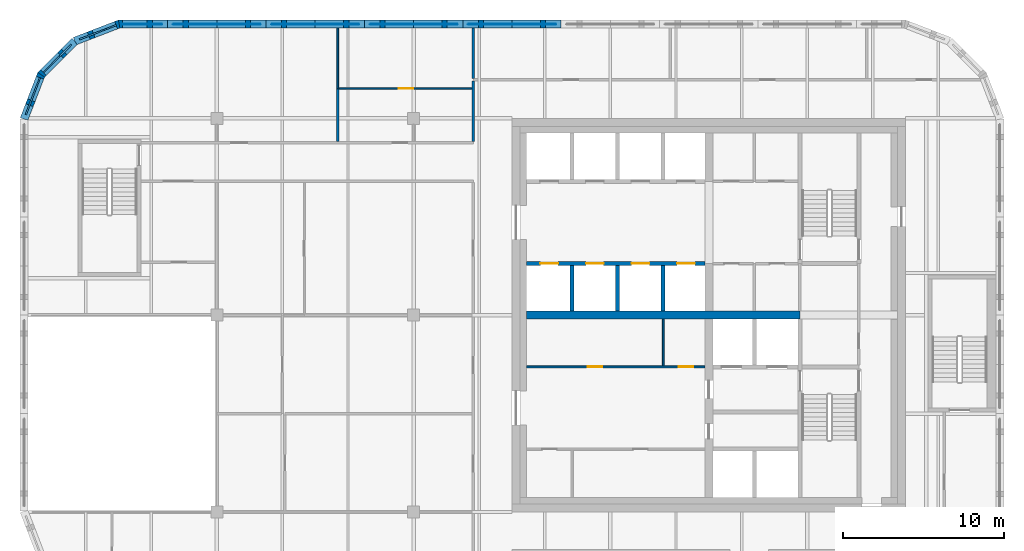
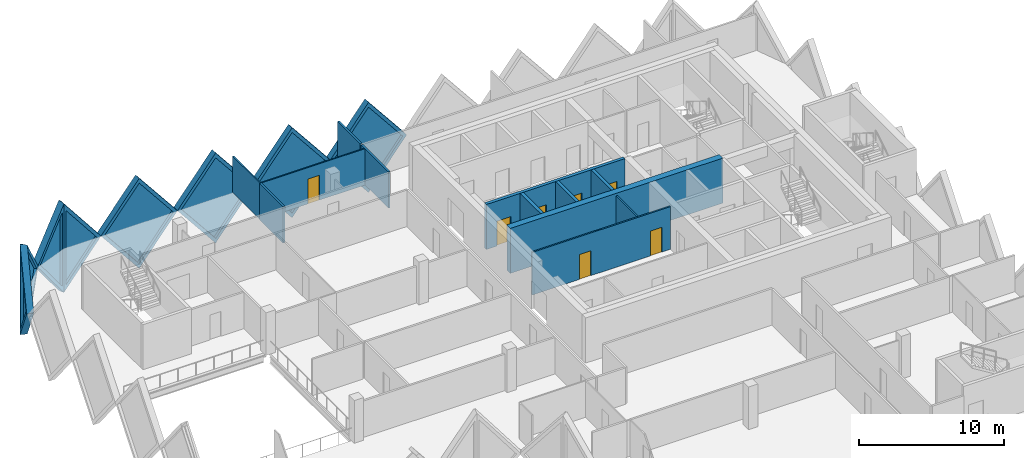
# One storey, part 8 of 12: 20 walls, 8 plates, 7 doors, 15 openings.
"""IFC4 building model written with IfcOpenShell, lengths in metres."""

from ifc_helpers import new_model, si_unit, direction, frame, frame_2d, origin, place, context, subcontext, project, spatial, polyline, rectangle, outline, extrude, faceted_brep, source, transform, mapped, material, layer, layer_set, type_object, element, fill, save


model = new_model("IFC4")

# Units and contexts
model_context = context("Model", 3, precision=1e-05, world=origin(), true_north=direction((0.0, 1.0)))
body_context = subcontext(model_context, "Body", "Model", "MODEL_VIEW")
ifc_project = project(units=[si_unit("LENGTHUNIT", "METRE"), si_unit("AREAUNIT", "SQUARE_METRE"), si_unit("VOLUMEUNIT", "CUBIC_METRE"), si_unit("PLANEANGLEUNIT", "RADIAN"), si_unit("MASSUNIT", "GRAM", prefix="KILO")], contexts=[model_context])

# Site, building, storey
site_placement = place(None, origin())
site = spatial("IfcSite", under=ifc_project, at=site_placement, CompositionType="ELEMENT")
building_placement = place(site_placement, origin())
building = spatial("IfcBuilding", under=site, at=building_placement, Name="Tessera Gate Towers", CompositionType="ELEMENT")
storey_placement = place(building_placement, frame((0.0, 0.0, 213.10009765625)))
storey = spatial("IfcBuildingStorey", under=building, at=storey_placement, Name="L53", CompositionType="ELEMENT", Elevation=213.10009765625)

# Wall, openings, doors
ifc_material_1 = material(Name="Concrete C40/50", Category="concrete")
ifc_layer_1 = layer(ifc_material_1, 0.25)
ifc_layer_set_1 = layer_set([ifc_layer_1], Name="CORE ENCLOSURE WALL 250")
wall_type_1 = type_object("IfcWallType", Name="CORE ENCLOSURE WALL 250", PredefinedType="SOLIDWALL", material=ifc_layer_set_1)
wall_1_placement = place(storey_placement, frame((31.39990234375, 39.800048828125, 0.0), z_axis=(0.0, 0.0, 1.0), x_axis=(1.0, 0.0, 0.0)))
wall_1 = element("IfcWall", 1, at=wall_1_placement, inside=storey, type_object=wall_type_1, Name="L53 shaft and stair enclosure wall", PredefinedType="SOLIDWALL", context=body_context, shape_type="SweptSolid", body=[
    extrude(rectangle(XDim=11.050048828125, YDim=0.25, at=frame_2d((5.52490234375, 0.0))), origin(), (0.0, 0.0, 1.0), 3.7998046875),
])
shared_shape_1 = source(origin(), body_context, "Body", "SweptSolid", [
    extrude(rectangle(XDim=1.10009765625, YDim=2.10009765625, at=frame_2d((0.550048828125, 1.050048828125))), frame((0.0, 0.135009765625, 0.0), z_axis=(0.0, -1.0, 0.0), x_axis=(1.0, 0.0, 0.0)), (0.0, 0.0, 1.0), 0.27001953125),
])
opening_1_placement = place(wall_1_placement, frame((0.862548828125, 0.0, 0.0)))
opening_1 = element("IfcOpeningElement", 2, at=opening_1_placement, cuts=wall_1, Name="Opening LD-HR1", PredefinedType="OPENING", context=body_context, shape_type="MappedRepresentation", body=[
    mapped(shared_shape_1, transform((0.0, 0.0, 0.0), scale=1.0)),
])
opening_2_placement = place(wall_1_placement, frame((3.6875, 0.0, 0.0)))
opening_2 = element("IfcOpeningElement", 3, at=opening_2_placement, cuts=wall_1, Name="Opening LD-HR2", PredefinedType="OPENING", context=body_context, shape_type="MappedRepresentation", body=[
    mapped(shared_shape_1, transform((0.0, 0.0, 0.0), scale=1.0)),
])
opening_3_placement = place(wall_1_placement, frame((6.512451171875, 0.0, 0.0)))
opening_3 = element("IfcOpeningElement", 4, at=opening_3_placement, cuts=wall_1, Name="Opening LD-HR3", PredefinedType="OPENING", context=body_context, shape_type="MappedRepresentation", body=[
    mapped(shared_shape_1, transform((0.0, 0.0, 0.0), scale=1.0)),
])
opening_4_placement = place(wall_1_placement, frame((9.33740234375, 0.0, 0.0)))
opening_4 = element("IfcOpeningElement", 5, at=opening_4_placement, cuts=wall_1, Name="Opening LD-HR4", PredefinedType="OPENING", context=body_context, shape_type="MappedRepresentation", body=[
    mapped(shared_shape_1, transform((0.0, 0.0, 0.0), scale=1.0)),
])
ifc_material_2 = material(Name="Stainless steel", Category="steel")
door_type_1 = type_object("IfcDoorType", Name="CORE DOOR LD 1100x2100", OperationType="DOUBLE_DOOR_SLIDING", PredefinedType="DOOR", material=ifc_material_2)
shared_shape_2 = source(origin(), body_context, "Body", "SweptSolid", [
    extrude(rectangle(XDim=1.10009765625, YDim=2.10009765625, at=frame_2d((0.550048828125, 1.050048828125))), frame((0.0, 0.02490234375, 0.0), z_axis=(0.0, -1.0, 0.0), x_axis=(1.0, 0.0, 0.0)), (0.0, 0.0, 1.0), 0.050048828125),
])
door_1_placement = place(opening_1_placement, origin())
door_1 = element("IfcDoor", 6, at=door_1_placement, inside=storey, type_object=door_type_1, Name="Landing door HR1 L53", OperationType="DOUBLE_DOOR_SLIDING", OverallHeight=2.10009765625, OverallWidth=1.10009765625, PredefinedType="DOOR", context=body_context, shape_type="MappedRepresentation", body=[
    mapped(shared_shape_2, transform((0.0, 0.0, 0.0), scale=1.0)),
])
fill(opening_1, door_1)
door_2_placement = place(opening_2_placement, origin())
door_2 = element("IfcDoor", 7, at=door_2_placement, inside=storey, type_object=door_type_1, Name="Landing door HR2 L53", OperationType="DOUBLE_DOOR_SLIDING", OverallHeight=2.10009765625, OverallWidth=1.10009765625, PredefinedType="DOOR", context=body_context, shape_type="MappedRepresentation", body=[
    mapped(shared_shape_2, transform((0.0, 0.0, 0.0), scale=1.0)),
])
fill(opening_2, door_2)
door_3_placement = place(opening_3_placement, origin())
door_3 = element("IfcDoor", 8, at=door_3_placement, inside=storey, type_object=door_type_1, Name="Landing door HR3 L53", OperationType="DOUBLE_DOOR_SLIDING", OverallHeight=2.10009765625, OverallWidth=1.10009765625, PredefinedType="DOOR", context=body_context, shape_type="MappedRepresentation", body=[
    mapped(shared_shape_2, transform((0.0, 0.0, 0.0), scale=1.0)),
])
fill(opening_3, door_3)
door_4_placement = place(opening_4_placement, origin())
door_4 = element("IfcDoor", 9, at=door_4_placement, inside=storey, type_object=door_type_1, Name="Landing door HR4 L53", OperationType="DOUBLE_DOOR_SLIDING", OverallHeight=2.10009765625, OverallWidth=1.10009765625, PredefinedType="DOOR", context=body_context, shape_type="MappedRepresentation", body=[
    mapped(shared_shape_2, transform((0.0, 0.0, 0.0), scale=1.0)),
])
fill(opening_4, door_4)

# Walls
for number, where, z_axis, x_axis, name in (
    (10, (34.22509765625, 36.85009765625, 0.0), (0.0, 0.0, 1.0), (0.0, 1.0, 0.0), "L53 shaft and stair enclosure wall"),
    (11, (37.050048828125, 36.85009765625, 0.0), (0.0, 0.0, 1.0), (0.0, 1.0, 0.0), "L53 shaft and stair enclosure wall"),
    (12, (39.875, 36.85009765625, 0.0), (0.0, 0.0, 1.0), (0.0, 1.0, 0.0), "L53 shaft and stair enclosure wall"),
):
    element("IfcWall", number, at=place(storey_placement, frame(where, z_axis=z_axis, x_axis=x_axis)), inside=storey, type_object=wall_type_1, Name=name, PredefinedType="SOLIDWALL", context=body_context, shape_type="SweptSolid", body=[
        extrude(rectangle(XDim=2.824951171875, YDim=0.25, at=frame_2d((1.41259765625, 0.0))), origin(), (0.0, 0.0, 1.0), 3.7998046875),
    ])

# Wall, openings, doors
ifc_material_3 = material(Name="Gypsum board on steel studs", Category="steel")
ifc_layer_2 = layer(ifc_material_3, 0.1201171875)
ifc_layer_set_2 = layer_set([ifc_layer_2], Name="CORE PARTITION 120")
wall_type_2 = type_object("IfcWallType", Name="CORE PARTITION 120", PredefinedType="PARTITIONING", material=ifc_layer_set_2)
wall_2_placement = place(storey_placement, frame((31.39990234375, 33.39990234375, 0.0), z_axis=(0.0, 0.0, 1.0), x_axis=(1.0, 0.0, 0.0)))
wall_2 = element("IfcWall", 13, at=wall_2_placement, inside=storey, type_object=wall_type_2, Name="L53 core partition", PredefinedType="PARTITIONING", context=body_context, shape_type="SweptSolid", body=[
    extrude(rectangle(XDim=11.050048828125, YDim=0.1201171875, at=frame_2d((5.52490234375, 0.0))), origin(), (0.0, 0.0, 1.0), 3.599853515625),
])
shared_shape_3 = source(origin(), body_context, "Body", "SweptSolid", [
    extrude(rectangle(XDim=0.89990234375, YDim=2.10009765625, at=frame_2d((0.449951171875, 1.050048828125))), frame((0.0, 0.070068359375, 0.0), z_axis=(0.0, -1.0, 0.0), x_axis=(1.0, 0.0, 0.0)), (0.0, 0.0, 1.0), 0.14013671875),
])
opening_5_placement = place(wall_2_placement, frame((3.78759765625, 0.0, 0.0)))
opening_5 = element("IfcOpeningElement", 14, at=opening_5_placement, cuts=wall_2, Name="Opening RD-T1-32-09", PredefinedType="OPENING", context=body_context, shape_type="MappedRepresentation", body=[
    mapped(shared_shape_3, transform((0.0, 0.0, 0.0), scale=1.0)),
])
opening_6_placement = place(wall_2_placement, frame((9.4375, 0.0, 0.0)))
opening_6 = element("IfcOpeningElement", 15, at=opening_6_placement, cuts=wall_2, Name="Opening RD-T1-32-10", PredefinedType="OPENING", context=body_context, shape_type="MappedRepresentation", body=[
    mapped(shared_shape_3, transform((0.0, 0.0, 0.0), scale=1.0)),
])
ifc_material_4 = material(Name="Hollow steel fire door", Category="steel")
door_type_2 = type_object("IfcDoorType", Name="CORE DOOR RD 900x2100", OperationType="NOTDEFINED", PredefinedType="DOOR", material=ifc_material_4)
shared_shape_4 = source(origin(), body_context, "Body", "SweptSolid", [
    extrude(rectangle(XDim=0.89990234375, YDim=2.10009765625, at=frame_2d((0.449951171875, 1.050048828125))), frame((0.0, 0.02490234375, 0.0), z_axis=(0.0, -1.0, 0.0), x_axis=(1.0, 0.0, 0.0)), (0.0, 0.0, 1.0), 0.050048828125),
])
door_5_placement = place(opening_5_placement, origin())
door_5 = element("IfcDoor", 16, at=door_5_placement, inside=storey, type_object=door_type_2, Name="Core room door", OperationType="SINGLE_SWING_LEFT", OverallHeight=2.10009765625, OverallWidth=0.89990234375, PredefinedType="DOOR", context=body_context, shape_type="MappedRepresentation", body=[
    mapped(shared_shape_4, transform((0.0, 0.0, 0.0), scale=1.0)),
])
fill(opening_5, door_5)
door_6_placement = place(opening_6_placement, origin())
door_6 = element("IfcDoor", 17, at=door_6_placement, inside=storey, type_object=door_type_2, Name="Core room door", OperationType="SINGLE_SWING_RIGHT", OverallHeight=2.10009765625, OverallWidth=0.89990234375, PredefinedType="DOOR", context=body_context, shape_type="MappedRepresentation", body=[
    mapped(shared_shape_4, transform((0.0, 0.0, 0.0), scale=1.0)),
])
fill(opening_6, door_6)

# Walls
wall_3_placement = place(storey_placement, frame((39.875, 33.4599609375, 0.0), z_axis=(0.0, 0.0, 1.0), x_axis=(0.0, 1.0, 0.0)))
element("IfcWall", 18, at=wall_3_placement, inside=storey, type_object=wall_type_2, Name="L53 core partition", PredefinedType="PARTITIONING", context=body_context, shape_type="SweptSolid", body=[
    extrude(rectangle(XDim=2.89013671875, YDim=0.1201171875, at=frame_2d((1.445068359375, 0.0))), origin(), (0.0, 0.0, 1.0), 3.599853515625),
])
ifc_material_5 = material(Name="Concrete C50/60", Category="concrete")
ifc_layer_3 = layer(ifc_material_5, 0.5)
ifc_layer_set_3 = layer_set([ifc_layer_3], Name="CORE SPINE WALL 500 C50/60")
wall_type_3 = type_object("IfcWallType", Name="CORE SPINE WALL 500 C50/60", PredefinedType="SHEAR", material=ifc_layer_set_3)
wall_4_placement = place(storey_placement, frame((31.39990234375, 36.60009765625, 0.0), z_axis=(0.0, 0.0, 1.0), x_axis=(1.0, 0.0, 0.0)))
element("IfcWall", 19, at=wall_4_placement, inside=storey, type_object=wall_type_3, Name="Core wall spine L53", PredefinedType="SHEAR", context=body_context, shape_type="SweptSolid", body=[
    extrude(rectangle(XDim=16.9501953125, YDim=0.5, at=frame_2d((8.47509765625, 0.0))), origin(), (0.0, 0.0, 1.0), 3.7998046875),
])
ifc_material_6 = material(Name="Gypsum board on steel studs, mineral wool", Category="steel")
ifc_layer_4 = layer(ifc_material_6, 0.14990234375)
ifc_layer_set_4 = layer_set([ifc_layer_4], Name="CORRIDOR WALL 150")
wall_type_4 = type_object("IfcWallType", Name="CORRIDOR WALL 150", PredefinedType="PARTITIONING", material=ifc_layer_set_4)
wall_5_placement = place(storey_placement, frame((28.10009765625, 47.3759765625, 0.0), z_axis=(0.0, 0.0, 1.0), x_axis=(0.0, 1.0, 0.0)))
element("IfcWall", 20, at=wall_5_placement, inside=storey, type_object=wall_type_4, Name="T1-L53-PW-048", PredefinedType="PARTITIONING", context=body_context, shape_type="SweptSolid", body=[
    extrude(rectangle(XDim=3.748046875, YDim=0.14990234375, at=frame_2d((1.8740234375, 0.0))), origin(), (0.0, 0.0, 1.0), 3.06689453125),
])
ifc_material_7 = material(Name="Glass", Category="glass")
ifc_layer_5 = layer(ifc_material_7, 0.10009765625)
ifc_layer_set_5 = layer_set([ifc_layer_5], Name="GLAZED PARTITION 100")
wall_type_5 = type_object("IfcWallType", Name="GLAZED PARTITION 100", PredefinedType="PARTITIONING", material=ifc_layer_set_5)
wall_6_placement = place(storey_placement, frame((19.699951171875, 50.65087890625, 0.0), z_axis=(0.0, 0.0, 1.0), x_axis=(0.0, 1.0, 0.0)))
element("IfcWall", 21, at=wall_6_placement, inside=storey, type_object=wall_type_5, Name="T1-L53-PW-051", PredefinedType="PARTITIONING", context=body_context, shape_type="SweptSolid", body=[
    extrude(rectangle(XDim=3.7490234375, YDim=0.10009765625, at=frame_2d((1.87451171875, 0.0))), origin(), (0.0, 0.0, 1.0), 3.06689453125),
])

# Wall, opening, door
wall_7_placement = place(storey_placement, frame((19.77587890625, 50.64990234375, 0.0), z_axis=(0.0, 0.0, 1.0), x_axis=(1.0, 0.0, 0.0)))
wall_7 = element("IfcWall", 22, at=wall_7_placement, inside=storey, type_object=wall_type_5, Name="T1-L53-PW-052", PredefinedType="PARTITIONING", context=body_context, shape_type="SweptSolid", body=[
    extrude(rectangle(XDim=8.248046875, YDim=0.10009765625, at=frame_2d((4.1240234375, 0.0))), origin(), (0.0, 0.0, 1.0), 3.06689453125),
])
shared_shape_5 = source(origin(), body_context, "Body", "SweptSolid", [
    extrude(rectangle(XDim=0.89990234375, YDim=2.10009765625, at=frame_2d((0.449951171875, 1.050048828125))), frame((0.0, 0.06005859375, 0.0), z_axis=(0.0, -1.0, 0.0), x_axis=(1.0, 0.0, 0.0)), (0.0, 0.0, 1.0), 0.1201171875),
])
opening_7_placement = place(wall_7_placement, frame((3.699951171875, 0.0, 0.0)))
opening_7 = element("IfcOpeningElement", 23, at=opening_7_placement, cuts=wall_7, Name="Opening D690-A19-07", PredefinedType="OPENING", context=body_context, shape_type="MappedRepresentation", body=[
    mapped(shared_shape_5, transform((0.0, 0.0, 0.0), scale=1.0)),
])
ifc_material_8 = material(Name="Glass in aluminium frame", Category="aluminium")
door_type_3 = type_object("IfcDoorType", Name="GLAZED DOOR 900 NOT RATED", OperationType="NOTDEFINED", PredefinedType="DOOR", material=ifc_material_8)
door_7_placement = place(opening_7_placement, origin())
door_7 = element("IfcDoor", 24, at=door_7_placement, inside=storey, type_object=door_type_3, Name="T1-L53-PD-019", OperationType="SINGLE_SWING_LEFT", OverallHeight=2.10009765625, OverallWidth=0.89990234375, PredefinedType="DOOR", context=body_context, shape_type="MappedRepresentation", body=[
    mapped(shared_shape_4, transform((0.0, 0.0, 0.0), scale=1.0)),
])
fill(opening_7, door_7)

# Walls
ifc_material_9 = material(Name="Gypsum board on steel studs, mineral wool", Category="steel")
ifc_layer_6 = layer(ifc_material_9, 0.14990234375)
ifc_layer_set_6 = layer_set([ifc_layer_6], Name="TENANCY WALL 150")
wall_type_6 = type_object("IfcWallType", Name="TENANCY WALL 150", PredefinedType="PARTITIONING", material=ifc_layer_set_6)
wall_8_placement = place(storey_placement, frame((19.699951171875, 47.3759765625, 0.0), z_axis=(0.0, 0.0, 1.0), x_axis=(0.0, 1.0, 0.0)))
element("IfcWall", 25, at=wall_8_placement, inside=storey, type_object=wall_type_6, Name="T1-L53-PW-047", PredefinedType="PARTITIONING", context=body_context, shape_type="SweptSolid", body=[
    extrude(rectangle(XDim=3.27392578125, YDim=0.14990234375, at=frame_2d((1.636962890625, 0.0))), origin(), (0.0, 0.0, 1.0), 3.06689453125),
])
wall_9_placement = place(storey_placement, frame((28.10009765625, 51.27587890625, 0.0), z_axis=(0.0, 0.0, 1.0), x_axis=(0.0, 1.0, 0.0)))
element("IfcWall", 26, at=wall_9_placement, inside=storey, type_object=wall_type_6, Name="T1-L53-PW-054", PredefinedType="PARTITIONING", context=body_context, shape_type="SweptSolid", body=[
    extrude(rectangle(XDim=3.1240234375, YDim=0.14990234375, at=frame_2d((1.56201171875, 0.0))), origin(), (0.0, 0.0, 1.0), 3.06689453125),
])

# Wall, opening, plate
ifc_material_10 = material(Name="Precast concrete C60/75 white", Category="concrete")
ifc_layer_7 = layer(ifc_material_10, 0.5)
ifc_layer_set_7 = layer_set([ifc_layer_7], Name="TS1 tessera")
wall_type_7 = type_object("IfcWallType", Name="TS1 tessera", PredefinedType="SOLIDWALL", material=ifc_layer_set_7)
shared_shape_6 = source(origin(), body_context, "Body", "Brep", [
    faceted_brep([(3.050048828125, -0.25, 0.0), (6.099853515625, -0.25, 3.7998046875), (6.099853515625, -0.25, 3.80029296875), (3.050048828125, -0.25, 7.599853515625), (0.0, -0.25, 3.800048828125), (0.0, 0.25, 3.800048828125), (3.050048828125, 0.25, 7.599853515625), (6.099853515625, 0.25, 3.80029296875), (6.099853515625, 0.25, 3.7998046875), (3.050048828125, 0.25, 0.0)], [[[0, 1, 2, 3, 4]], [[5, 6, 7, 8, 9]], [[9, 8, 1, 0]], [[7, 6, 3, 2]], [[6, 5, 4, 3]], [[5, 9, 0, 4]], [[1, 8, 7, 2]]]),
])
wall_10_placement = place(storey_placement, frame((27.449951171875, 54.64990234375, -3.800048828125), z_axis=(0.0, 0.0, 1.0), x_axis=(-1.0, 0.0, 0.0)))
wall_10 = element("IfcWall", 27, at=wall_10_placement, inside=storey, type_object=wall_type_7, Name="Precast tessera T1 TS1-0934", PredefinedType="SOLIDWALL", context=body_context, shape_type="MappedRepresentation", body=[
    mapped(shared_shape_6, transform((0.0, 0.0, 0.0), scale=1.0)),
])
shared_shape_7 = source(origin(), body_context, "Body", "SweptSolid", [
    extrude(outline(polyline([(3.050048828125, 0.3994140625), (5.779541015625, 3.800048828125), (3.050048828125, 7.200439453125), (0.320556640625, 3.800048828125), (3.050048828125, 0.3994140625)])), frame((0.0, 0.260009765625, 0.0), z_axis=(0.0, -1.0, 0.0), x_axis=(1.0, 0.0, 0.0)), (0.0, 0.0, 1.0), 0.52001953125),
])
opening_8_placement = place(wall_10_placement, origin())
opening_8 = element("IfcOpeningElement", 28, at=opening_8_placement, cuts=wall_10, Name="Opening T1-PL2-1904", PredefinedType="OPENING", context=body_context, shape_type="MappedRepresentation", body=[
    mapped(shared_shape_7, transform((0.0, 0.0, 0.0), scale=1.0)),
])
ifc_material_11 = material(Name="Low-e laminated glass", Category="glass")
ifc_layer_8 = layer(ifc_material_11, 0.06005859375)
ifc_layer_set_8 = layer_set([ifc_layer_8], Name="PL2 rhombic pane")
plate_type = type_object("IfcPlateType", Name="PL2 rhombic pane", PredefinedType="SHEET", material=ifc_layer_set_8)
shared_shape_8 = source(origin(), body_context, "Body", "SweptSolid", [
    extrude(outline(polyline([(3.050048828125, 0.3994140625), (5.779541015625, 3.800048828125), (3.050048828125, 7.200439453125), (0.320556640625, 3.800048828125), (3.050048828125, 0.3994140625)])), frame((0.0, 0.030029296875, 0.0), z_axis=(0.0, -1.0, 0.0), x_axis=(1.0, 0.0, 0.0)), (0.0, 0.0, 1.0), 0.06005859375),
])
plate_1_placement = place(opening_8_placement, origin())
plate_1 = element("IfcPlate", 29, at=plate_1_placement, inside=storey, type_object=plate_type, Name="Glass pane T1 PL2-1904", PredefinedType="SHEET", context=body_context, shape_type="MappedRepresentation", body=[
    mapped(shared_shape_8, transform((0.0, 0.0, 0.0), scale=1.0)),
])
fill(opening_8, plate_1)

shared_shape_9 = source(origin(), body_context, "Body", "SweptSolid", [
    extrude(outline(polyline([(3.050048828125, 0.0), (6.10009765625, 3.800048828125), (3.050048828125, 7.599853515625), (0.0, 3.800048828125), (3.050048828125, 0.0)])), frame((0.0, 0.25, 0.0), z_axis=(0.0, -1.0, 0.0), x_axis=(1.0, 0.0, 0.0)), (0.0, 0.0, 1.0), 0.5),
])
wall_11_placement = place(storey_placement, frame((33.550048828125, 54.64990234375, -3.800048828125), z_axis=(0.0, 0.0, 1.0), x_axis=(-1.0, 0.0, 0.0)))
wall_11 = element("IfcWall", 30, at=wall_11_placement, inside=storey, type_object=wall_type_7, Name="Precast tessera T1 TS1-0933", PredefinedType="SOLIDWALL", context=body_context, shape_type="MappedRepresentation", body=[
    mapped(shared_shape_9, transform((0.0, 0.0, 0.0), scale=1.0)),
])
opening_9_placement = place(wall_11_placement, origin())
opening_9 = element("IfcOpeningElement", 31, at=opening_9_placement, cuts=wall_11, Name="Opening T1-PL2-1903", PredefinedType="OPENING", context=body_context, shape_type="MappedRepresentation", body=[
    mapped(shared_shape_7, transform((0.0, 0.0, 0.0), scale=1.0)),
])
plate_2_placement = place(opening_9_placement, origin())
plate_2 = element("IfcPlate", 32, at=plate_2_placement, inside=storey, type_object=plate_type, Name="Glass pane T1 PL2-1903", PredefinedType="SHEET", context=body_context, shape_type="MappedRepresentation", body=[
    mapped(shared_shape_8, transform((0.0, 0.0, 0.0), scale=1.0)),
])
fill(opening_9, plate_2)

wall_12_placement = place(storey_placement, frame((21.35009765625, 54.64990234375, -3.800048828125), z_axis=(0.0, 0.0, 1.0), x_axis=(-1.0, 0.0, 0.0)))
wall_12 = element("IfcWall", 33, at=wall_12_placement, inside=storey, type_object=wall_type_7, Name="Precast tessera T1 TS1-0935", PredefinedType="SOLIDWALL", context=body_context, shape_type="MappedRepresentation", body=[
    mapped(shared_shape_9, transform((0.0, 0.0, 0.0), scale=1.0)),
])
opening_10_placement = place(wall_12_placement, origin())
opening_10 = element("IfcOpeningElement", 34, at=opening_10_placement, cuts=wall_12, Name="Opening T1-PL2-1905", PredefinedType="OPENING", context=body_context, shape_type="MappedRepresentation", body=[
    mapped(shared_shape_7, transform((0.0, 0.0, 0.0), scale=1.0)),
])
plate_3_placement = place(opening_10_placement, origin())
plate_3 = element("IfcPlate", 35, at=plate_3_placement, inside=storey, type_object=plate_type, Name="Glass pane T1 PL2-1905", PredefinedType="SHEET", context=body_context, shape_type="MappedRepresentation", body=[
    mapped(shared_shape_8, transform((0.0, 0.0, 0.0), scale=1.0)),
])
fill(opening_10, plate_3)

wall_13_placement = place(storey_placement, frame((15.25, 54.64990234375, -3.800048828125), z_axis=(0.0, 0.0, 1.0), x_axis=(-1.0, 0.0, 0.0)))
wall_13 = element("IfcWall", 36, at=wall_13_placement, inside=storey, type_object=wall_type_7, Name="Precast tessera T1 TS1-0936", PredefinedType="SOLIDWALL", context=body_context, shape_type="MappedRepresentation", body=[
    mapped(shared_shape_9, transform((0.0, 0.0, 0.0), scale=1.0)),
])
opening_11_placement = place(wall_13_placement, origin())
opening_11 = element("IfcOpeningElement", 37, at=opening_11_placement, cuts=wall_13, Name="Opening T1-PL2-1906", PredefinedType="OPENING", context=body_context, shape_type="MappedRepresentation", body=[
    mapped(shared_shape_7, transform((0.0, 0.0, 0.0), scale=1.0)),
])
plate_4_placement = place(opening_11_placement, origin())
plate_4 = element("IfcPlate", 38, at=plate_4_placement, inside=storey, type_object=plate_type, Name="Glass pane T1 PL2-1906", PredefinedType="SHEET", context=body_context, shape_type="MappedRepresentation", body=[
    mapped(shared_shape_8, transform((0.0, 0.0, 0.0), scale=1.0)),
])
fill(opening_11, plate_4)

ifc_material_12 = material(Name="Precast concrete C60/75 white", Category="concrete")
ifc_layer_9 = layer(ifc_material_12, 0.5)
ifc_layer_set_9 = layer_set([ifc_layer_9], Name="TS3 corner tessera")
wall_type_8 = type_object("IfcWallType", Name="TS3 corner tessera", PredefinedType="SOLIDWALL", material=ifc_layer_set_9)
shared_shape_10 = source(origin(), body_context, "Body", "Brep", [
    faceted_brep([(3.00341796875, -0.25, 0.0), (3.050048828125, -0.25, 0.06005859375), (3.050048828125, -0.25, 7.539794921875), (3.00341796875, -0.25, 7.599853515625), (0.0, -0.25, 3.800048828125), (0.0, 0.25, 3.800048828125), (2.956787109375, 0.25, 7.541015625), (2.956787109375, 0.25, 0.058837890625), (3.00341796875, 0.000244140625, 0.0), (3.00341796875, 0.000244140625, 7.599853515625)], [[[0, 1, 2, 3, 4]], [[5, 6, 7]], [[1, 0, 8]], [[9, 3, 2]], [[6, 5, 4, 3, 9]], [[5, 7, 8, 0, 4]], [[1, 8, 7, 6, 9, 2]]]),
])
wall_14_placement = place(storey_placement, frame((9.14990234375, 54.64990234375, -3.800048828125), z_axis=(0.0, 0.0, 1.0), x_axis=(-1.0, 0.0, 0.0)))
wall_14 = element("IfcWall", 39, at=wall_14_placement, inside=storey, type_object=wall_type_8, Name="Precast corner tessera T1 TS3-1235", PredefinedType="SOLIDWALL", context=body_context, shape_type="MappedRepresentation", body=[
    mapped(shared_shape_10, transform((0.0, 0.0, 0.0), scale=1.0)),
])
shared_shape_11 = source(origin(), body_context, "Body", "SweptSolid", [
    extrude(outline(polyline([(2.803466796875, 6.94384765625), (0.318603515625, 3.800048828125), (2.803466796875, 0.65625), (2.803466796875, 6.94384765625)])), frame((0.0, 0.260009765625, 0.0), z_axis=(0.0, -1.0, 0.0), x_axis=(1.0, 0.0, 0.0)), (0.0, 0.0, 1.0), 0.52001953125),
])
opening_12_placement = place(wall_14_placement, origin())
opening_12 = element("IfcOpeningElement", 40, at=opening_12_placement, cuts=wall_14, Name="Opening T1-PL2-1907", PredefinedType="OPENING", context=body_context, shape_type="MappedRepresentation", body=[
    mapped(shared_shape_11, transform((0.0, 0.0, 0.0), scale=1.0)),
])
shared_shape_12 = source(origin(), body_context, "Body", "SweptSolid", [
    extrude(outline(polyline([(2.803466796875, 6.94384765625), (0.318603515625, 3.800048828125), (2.803466796875, 0.65625), (2.803466796875, 6.94384765625)])), frame((0.0, 0.030029296875, 0.0), z_axis=(0.0, -1.0, 0.0), x_axis=(1.0, 0.0, 0.0)), (0.0, 0.0, 1.0), 0.06005859375),
])
plate_5_placement = place(opening_12_placement, origin())
plate_5 = element("IfcPlate", 41, at=plate_5_placement, inside=storey, type_object=plate_type, Name="Glass pane T1 PL2-1907", PredefinedType="SHEET", context=body_context, shape_type="MappedRepresentation", body=[
    mapped(shared_shape_12, transform((0.0, 0.0, 0.0), scale=1.0)),
])
fill(opening_12, plate_5)

shared_shape_13 = source(origin(), body_context, "Body", "Brep", [
    faceted_brep([(0.046630859375, -0.25, 0.0), (2.9970703125, -0.25, 3.800048828125), (0.046630859375, -0.25, 7.599853515625), (0.0, -0.25, 7.541015625), (0.0, -0.25, 0.058837890625), (0.09326171875, 0.25, 7.539794921875), (2.9443359375, 0.25, 3.8681640625), (2.9443359375, 0.25, 3.73193359375), (0.09326171875, 0.25, 0.06005859375), (2.9970703125, 0.00048828125, 3.800048828125), (0.046630859375, 0.0, 0.0), (0.046630859375, 0.0, 7.599853515625)], [[[0, 1, 2, 3, 4]], [[5, 6, 7, 8]], [[8, 7, 9, 1, 0, 10]], [[6, 5, 11, 2, 1, 9]], [[3, 2, 11]], [[10, 0, 4]], [[8, 10, 4, 3, 11, 5]], [[7, 6, 9]]]),
])
wall_15_placement = place(storey_placement, frame((6.18994140625, 54.666748046875, -3.800048828125), z_axis=(0.0, 0.0, 1.0), x_axis=(-0.932990326376, -0.359901446078, 0.0)))
wall_15 = element("IfcWall", 42, at=wall_15_placement, inside=storey, type_object=wall_type_8, Name="Precast corner tessera T1 TS3-1236", PredefinedType="SOLIDWALL", context=body_context, shape_type="MappedRepresentation", body=[
    mapped(shared_shape_13, transform((0.0, 0.0, 0.0), scale=1.0)),
])
shared_shape_14 = source(origin(), body_context, "Body", "SweptSolid", [
    extrude(outline(polyline([(0.24658203125, 0.665283203125), (2.6806640625, 3.800048828125), (0.24658203125, 6.934814453125), (0.24658203125, 0.665283203125)])), frame((0.0, 0.260009765625, 0.0), z_axis=(0.0, -1.0, 0.0), x_axis=(1.0, 0.0, 0.0)), (0.0, 0.0, 1.0), 0.52001953125),
])
opening_13_placement = place(wall_15_placement, origin())
opening_13 = element("IfcOpeningElement", 43, at=opening_13_placement, cuts=wall_15, Name="Opening T1-PL2-1908", PredefinedType="OPENING", context=body_context, shape_type="MappedRepresentation", body=[
    mapped(shared_shape_14, transform((0.0, 0.0, 0.0), scale=1.0)),
])
shared_shape_15 = source(origin(), body_context, "Body", "SweptSolid", [
    extrude(outline(polyline([(0.24658203125, 0.665283203125), (2.6806640625, 3.800048828125), (0.24658203125, 6.934814453125), (0.24658203125, 0.665283203125)])), frame((0.0, 0.030029296875, 0.0), z_axis=(0.0, -1.0, 0.0), x_axis=(1.0, 0.0, 0.0)), (0.0, 0.0, 1.0), 0.06005859375),
])
plate_6_placement = place(opening_13_placement, origin())
plate_6 = element("IfcPlate", 44, at=plate_6_placement, inside=storey, type_object=plate_type, Name="Glass pane T1 PL2-1908", PredefinedType="SHEET", context=body_context, shape_type="MappedRepresentation", body=[
    mapped(shared_shape_15, transform((0.0, 0.0, 0.0), scale=1.0)),
])
fill(opening_13, plate_6)

shared_shape_16 = source(origin(), body_context, "Body", "Brep", [
    faceted_brep([(0.052978515625, -0.25, 0.0), (3.00341796875, -0.25, 3.800048828125), (0.052978515625, -0.25, 7.599853515625), (0.0, -0.25, 7.531494140625), (0.0, -0.25, 0.068359375), (0.10595703125, 0.25, 7.53173828125), (2.95703125, 0.25, 3.85986328125), (2.95703125, 0.25, 3.740234375), (0.10595703125, 0.25, 0.068115234375), (3.00341796875, 0.00048828125, 3.800048828125), (0.052978515625, 0.0, 0.0), (0.052978515625, 0.0, 7.599853515625)], [[[0, 1, 2, 3, 4]], [[5, 6, 7, 8]], [[8, 7, 9, 1, 0, 10]], [[6, 5, 11, 2, 1, 9]], [[3, 2, 11]], [[10, 0, 4]], [[8, 10, 4, 3, 11, 5]], [[7, 6, 9]]]),
])
wall_16_placement = place(storey_placement, frame((1.3310546875, 51.5556640625, -3.800048828125), z_axis=(0.0, 0.0, 1.0), x_axis=(-0.35992665181, -0.932980602862, 0.0)))
wall_16 = element("IfcWall", 45, at=wall_16_placement, inside=storey, type_object=wall_type_8, Name="Precast corner tessera T1 TS3-1238", PredefinedType="SOLIDWALL", context=body_context, shape_type="MappedRepresentation", body=[
    mapped(shared_shape_16, transform((0.0, 0.0, 0.0), scale=1.0)),
])
shared_shape_17 = source(origin(), body_context, "Body", "SweptSolid", [
    extrude(outline(polyline([(0.2529296875, 0.665283203125), (2.68701171875, 3.800048828125), (0.2529296875, 6.934814453125), (0.2529296875, 0.665283203125)])), frame((0.0, 0.260009765625, 0.0), z_axis=(0.0, -1.0, 0.0), x_axis=(1.0, 0.0, 0.0)), (0.0, 0.0, 1.0), 0.52001953125),
])
opening_14_placement = place(wall_16_placement, origin())
opening_14 = element("IfcOpeningElement", 46, at=opening_14_placement, cuts=wall_16, Name="Opening T1-PL2-1910", PredefinedType="OPENING", context=body_context, shape_type="MappedRepresentation", body=[
    mapped(shared_shape_17, transform((0.0, 0.0, 0.0), scale=1.0)),
])
shared_shape_18 = source(origin(), body_context, "Body", "SweptSolid", [
    extrude(outline(polyline([(0.2529296875, 0.665283203125), (2.68701171875, 3.800048828125), (0.2529296875, 6.934814453125), (0.2529296875, 0.665283203125)])), frame((0.0, 0.030029296875, 0.0), z_axis=(0.0, -1.0, 0.0), x_axis=(1.0, 0.0, 0.0)), (0.0, 0.0, 1.0), 0.06005859375),
])
plate_7_placement = place(opening_14_placement, origin())
plate_7 = element("IfcPlate", 47, at=plate_7_placement, inside=storey, type_object=plate_type, Name="Glass pane T1 PL2-1910", PredefinedType="SHEET", context=body_context, shape_type="MappedRepresentation", body=[
    mapped(shared_shape_18, transform((0.0, 0.0, 0.0), scale=1.0)),
])
fill(opening_14, plate_7)

shared_shape_19 = source(origin(), body_context, "Body", "Brep", [
    faceted_brep([(2.944091796875, -0.25, 0.0), (2.9970703125, -0.25, 0.068115234375), (2.9970703125, -0.25, 7.53173828125), (2.944091796875, -0.25, 7.599853515625), (0.0, -0.25, 3.800048828125), (0.052978515625, 0.25, 3.868408203125), (2.89111328125, 0.25, 7.53173828125), (2.89111328125, 0.25, 0.068115234375), (0.052978515625, 0.25, 3.731689453125), (2.944091796875, 0.000244140625, 0.0), (2.944091796875, 0.000244140625, 7.599853515625), (0.0, 0.0, 3.800048828125)], [[[0, 1, 2, 3, 4]], [[5, 6, 7, 8]], [[1, 0, 9]], [[10, 3, 2]], [[6, 5, 11, 4, 3, 10]], [[8, 7, 9, 0, 4, 11]], [[8, 11, 5]], [[1, 9, 7, 6, 10, 2]]]),
])
wall_17_placement = place(storey_placement, frame((3.393798828125, 53.588134765625, -3.800048828125), z_axis=(0.0, 0.0, 1.0), x_axis=(-0.707106781187, -0.707106781187, 0.0)))
wall_17 = element("IfcWall", 48, at=wall_17_placement, inside=storey, type_object=wall_type_8, Name="Precast corner tessera T1 TS3-1237", PredefinedType="SOLIDWALL", context=body_context, shape_type="MappedRepresentation", body=[
    mapped(shared_shape_19, transform((0.0, 0.0, 0.0), scale=1.0)),
])
shared_shape_20 = source(origin(), body_context, "Body", "SweptSolid", [
    extrude(outline(polyline([(2.744140625, 6.93359375), (0.316162109375, 3.800048828125), (2.744140625, 0.666259765625), (2.744140625, 6.93359375)])), frame((0.0, 0.260009765625, 0.0), z_axis=(0.0, -1.0, 0.0), x_axis=(1.0, 0.0, 0.0)), (0.0, 0.0, 1.0), 0.52001953125),
])
opening_15_placement = place(wall_17_placement, origin())
opening_15 = element("IfcOpeningElement", 49, at=opening_15_placement, cuts=wall_17, Name="Opening T1-PL2-1909", PredefinedType="OPENING", context=body_context, shape_type="MappedRepresentation", body=[
    mapped(shared_shape_20, transform((0.0, 0.0, 0.0), scale=1.0)),
])
shared_shape_21 = source(origin(), body_context, "Body", "SweptSolid", [
    extrude(outline(polyline([(2.744140625, 6.93359375), (0.316162109375, 3.800048828125), (2.744140625, 0.666259765625), (2.744140625, 6.93359375)])), frame((0.0, 0.030029296875, 0.0), z_axis=(0.0, -1.0, 0.0), x_axis=(1.0, 0.0, 0.0)), (0.0, 0.0, 1.0), 0.06005859375),
])
plate_8_placement = place(opening_15_placement, origin())
plate_8 = element("IfcPlate", 50, at=plate_8_placement, inside=storey, type_object=plate_type, Name="Glass pane T1 PL2-1909", PredefinedType="SHEET", context=body_context, shape_type="MappedRepresentation", body=[
    mapped(shared_shape_21, transform((0.0, 0.0, 0.0), scale=1.0)),
])
fill(opening_15, plate_8)

save(model, "model.ifc")
